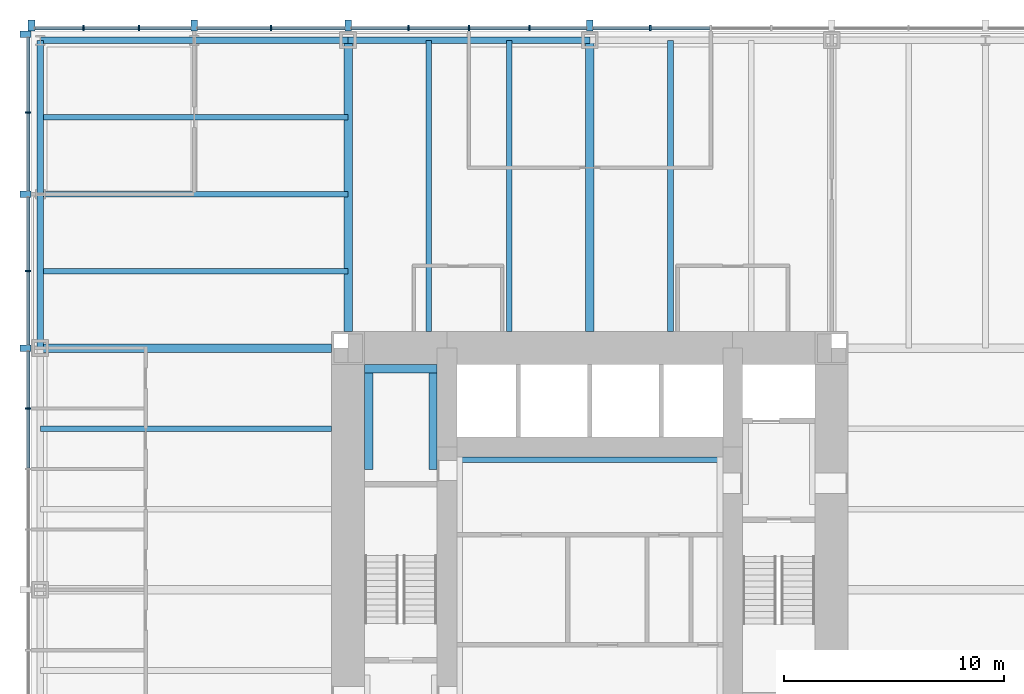
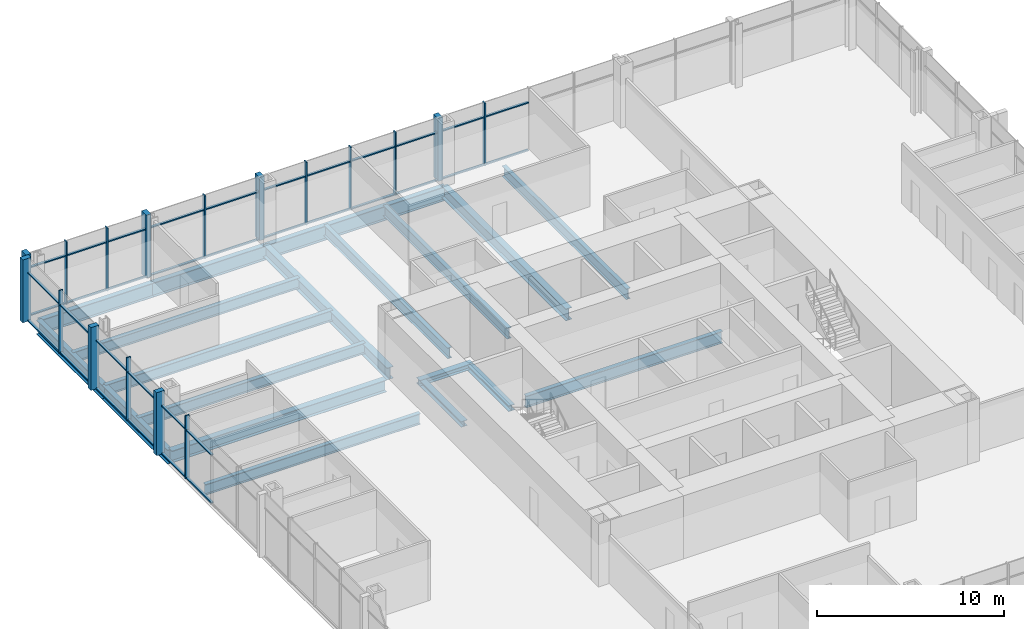
# One storey, part 5 of 13: 51 members, 19 beams, 2 elements without a shape of their own.
"""IFC4 building model written with IfcOpenShell, lengths in metres."""

from ifc_helpers import new_model, si_unit, direction, frame, origin, origin_2d, place, context, subcontext, project, spatial, rectangle, i_section, extrude, material, material_profile, profile_set, type_object, element, aggregate, save


model = new_model("IFC4")

# Units and contexts
model_context = context("Model", 3, precision=1e-05, world=origin(), true_north=direction((0.0, 1.0)))
body_context = subcontext(model_context, "Body", "Model", "MODEL_VIEW")
ifc_project = project(units=[si_unit("LENGTHUNIT", "METRE"), si_unit("AREAUNIT", "SQUARE_METRE"), si_unit("VOLUMEUNIT", "CUBIC_METRE"), si_unit("PLANEANGLEUNIT", "RADIAN"), si_unit("MASSUNIT", "GRAM", prefix="KILO")], contexts=[model_context])

# Site, building, storey
site_placement = place(None, origin())
site = spatial("IfcSite", under=ifc_project, at=site_placement, CompositionType="ELEMENT")
building_placement = place(site_placement, origin())
building = spatial("IfcBuilding", under=site, at=building_placement, Name="Trevanion Tower", CompositionType="ELEMENT")
storey_placement = place(building_placement, frame((0.0, 0.0, 81.60009765625)))
storey = spatial("IfcBuildingStorey", under=building, at=storey_placement, Name="L19", CompositionType="ELEMENT", Elevation=81.60009765625)

# Beams
ifc_material_1 = material(Name="Steel ASTM A992 Grade 50", Category="steel")
ifc_material_profile_1 = material_profile(ifc_material_1, i_section(OverallWidth=0.25390625, OverallDepth=0.700927734375, WebThickness=0.015380859375, FlangeThickness=0.02783203125, at=origin_2d()), Name="W27X129")
ifc_profile_set_1 = profile_set([ifc_material_profile_1], Name="Steel ASTM A992 Grade 50")
beam_type_1 = type_object("IfcBeamType", Name="B3 W27X129", PredefinedType="BEAM", material=ifc_profile_set_1)
for number, where, z_axis, x_axis, name in (
    (1, (3.666748046875, 11.75, -0.54052734375), (0.0, 1.0, 0.0), (-1.0, 0.0, 0.0), "B3 L19"),
    (2, (-3.666748046875, 11.75, -0.54052734375), (0.0, 1.0, 0.0), (-1.0, 0.0, 0.0), "B3 L19"),
    (3, (-7.333251953125, 11.75, -0.54052734375), (0.0, 1.0, 0.0), (-1.0, 0.0, 0.0), "B3 L19"),
    (4, (-11.75, 7.333251953125, -0.54052734375), (-1.0, 0.0, 0.0), (0.0, -1.0, 0.0), "B3 L19"),
):
    element("IfcBeam", number, at=place(storey_placement, frame(where, z_axis=z_axis, x_axis=x_axis)), inside=storey, type_object=beam_type_1, Name=name, PredefinedType="BEAM", context=body_context, shape_type="SweptSolid", body=[
        extrude(i_section(OverallWidth=0.25390625, OverallDepth=0.700927734375, WebThickness=0.015380859375, FlangeThickness=0.02783203125, at=origin_2d()), origin(), (0.0, 0.0, 1.0), 13.25),
    ])
ifc_material_2 = material(Name="Steel ASTM A992 Grade 50", Category="steel")
ifc_material_profile_2 = material_profile(ifc_material_2, i_section(OverallWidth=0.256591796875, OverallDepth=0.693359375, WebThickness=0.014404296875, FlangeThickness=0.023681640625, at=origin_2d()), Name="W27X114")
ifc_profile_set_2 = profile_set([ifc_material_profile_2], Name="Steel ASTM A992 Grade 50")
beam_type_2 = type_object("IfcBeamType", Name="B4 W27X114", PredefinedType="BEAM", material=ifc_profile_set_2)
for number, where, z_axis, x_axis, name in (
    (5, (-11.0, 14.5, -0.536865234375), (-1.0, 0.0, 0.0), (0.0, -1.0, 0.0), "B4 L19"),
    (6, (-11.0, 18.0, -0.536865234375), (-1.0, 0.0, 0.0), (0.0, -1.0, 0.0), "B4 L19"),
    (7, (-11.0, 21.5, -0.536865234375), (-1.0, 0.0, 0.0), (0.0, -1.0, 0.0), "B4 L19"),
):
    element("IfcBeam", number, at=place(storey_placement, frame(where, z_axis=z_axis, x_axis=x_axis)), inside=storey, type_object=beam_type_2, Name=name, PredefinedType="BEAM", context=body_context, shape_type="SweptSolid", body=[
        extrude(i_section(OverallWidth=0.256591796875, OverallDepth=0.693359375, WebThickness=0.014404296875, FlangeThickness=0.023681640625, at=origin_2d()), origin(), (0.0, 0.0, 1.0), 14.0),
    ])

# Curtain wall, members
ifc_material_3 = material(Name="Aluminium and glass", Category="aluminium")
curtain_wall_type = type_object("IfcCurtainWallType", Name="CW1 curtain wall", PredefinedType="USERDEFINED", material=ifc_material_3)
curtain_wall_1_placement = place(storey_placement, origin())
curtain_wall_1 = element("IfcCurtainWall", 8, at=curtain_wall_1_placement, inside=storey, type_object=curtain_wall_type, Name="CW1 L19 1", ObjectType="UNITISED CURTAIN WALL", PredefinedType="USERDEFINED")
ifc_material_4 = material(Name="Aluminium extrusion, anodised bronze", Category="aluminium")
ifc_material_profile_3 = material_profile(ifc_material_4, rectangle(XDim=0.074951171875, YDim=0.25, at=origin_2d()), Name="CW1 mullion")
ifc_profile_set_3 = profile_set([ifc_material_profile_3], Name="Aluminium extrusion, anodised bronze")
member_type_1 = type_object("IfcMemberType", Name="CW1 mullion", PredefinedType="MULLION", material=ifc_profile_set_3)
member_1_placement = place(storey_placement, frame((2.75, 25.550048828125, -0.190185546875), z_axis=(0.0, 0.0, 1.0), x_axis=(-1.0, 0.0, 0.0)))
member_1 = element("IfcMember", 9, at=member_1_placement, type_object=member_type_1, Name="CW1 mullion 8", PredefinedType="MULLION", context=body_context, shape_type="SweptSolid", body=[
    extrude(rectangle(XDim=0.074951171875, YDim=0.25, at=origin_2d()), origin(), (0.0, 0.0, 1.0), 4.10009765625),
])
member_2_placement = place(storey_placement, frame((-2.75, 25.550048828125, -0.190185546875), z_axis=(0.0, 0.0, 1.0), x_axis=(-1.0, 0.0, 0.0)))
member_2 = element("IfcMember", 10, at=member_2_placement, type_object=member_type_1, Name="CW1 mullion 10", PredefinedType="MULLION", context=body_context, shape_type="SweptSolid", body=[
    extrude(rectangle(XDim=0.074951171875, YDim=0.25, at=origin_2d()), origin(), (0.0, 0.0, 1.0), 4.10009765625),
])
member_3_placement = place(storey_placement, frame((-5.5, 25.550048828125, -0.190185546875), z_axis=(0.0, 0.0, 1.0), x_axis=(-1.0, 0.0, 0.0)))
member_3 = element("IfcMember", 11, at=member_3_placement, type_object=member_type_1, Name="CW1 mullion 11", PredefinedType="MULLION", context=body_context, shape_type="SweptSolid", body=[
    extrude(rectangle(XDim=0.074951171875, YDim=0.25, at=origin_2d()), origin(), (0.0, 0.0, 1.0), 4.10009765625),
])
member_4_placement = place(storey_placement, frame((-8.25, 25.550048828125, -0.190185546875), z_axis=(0.0, 0.0, 1.0), x_axis=(-1.0, 0.0, 0.0)))
member_4 = element("IfcMember", 12, at=member_4_placement, type_object=member_type_1, Name="CW1 mullion 12", PredefinedType="MULLION", context=body_context, shape_type="SweptSolid", body=[
    extrude(rectangle(XDim=0.074951171875, YDim=0.25, at=origin_2d()), origin(), (0.0, 0.0, 1.0), 4.10009765625),
])
member_5_placement = place(storey_placement, frame((-14.5, 25.550048828125, -0.190185546875), z_axis=(0.0, 0.0, 1.0), x_axis=(-1.0, 0.0, 0.0)))
member_5 = element("IfcMember", 13, at=member_5_placement, type_object=member_type_1, Name="CW1 mullion 14", PredefinedType="MULLION", context=body_context, shape_type="SweptSolid", body=[
    extrude(rectangle(XDim=0.074951171875, YDim=0.25, at=origin_2d()), origin(), (0.0, 0.0, 1.0), 4.10009765625),
])
member_6_placement = place(storey_placement, frame((-20.5166015625, 25.550048828125, -0.190185546875), z_axis=(0.0, 0.0, 1.0), x_axis=(-1.0, 0.0, 0.0)))
member_6 = element("IfcMember", 14, at=member_6_placement, type_object=member_type_1, Name="CW1 mullion 16", PredefinedType="MULLION", context=body_context, shape_type="SweptSolid", body=[
    extrude(rectangle(XDim=0.074951171875, YDim=0.25, at=origin_2d()), origin(), (0.0, 0.0, 1.0), 4.10009765625),
])
member_7_placement = place(storey_placement, frame((-23.033203125, 25.550048828125, -0.190185546875), z_axis=(0.0, 0.0, 1.0), x_axis=(-1.0, 0.0, 0.0)))
member_7 = element("IfcMember", 15, at=member_7_placement, type_object=member_type_1, Name="CW1 mullion 17", PredefinedType="MULLION", context=body_context, shape_type="SweptSolid", body=[
    extrude(rectangle(XDim=0.074951171875, YDim=0.25, at=origin_2d()), origin(), (0.0, 0.0, 1.0), 4.10009765625),
])

curtain_wall_2_placement = place(storey_placement, origin())
curtain_wall_2 = element("IfcCurtainWall", 16, at=curtain_wall_2_placement, inside=storey, type_object=curtain_wall_type, Name="CW1 L19 2", ObjectType="UNITISED CURTAIN WALL", PredefinedType="USERDEFINED")
member_8_placement = place(storey_placement, frame((-25.550048828125, 21.7099609375, -0.190185546875), z_axis=(0.0, 0.0, 1.0), x_axis=(0.0, -1.0, 0.0)))
member_8 = element("IfcMember", 17, at=member_8_placement, type_object=member_type_1, Name="CW1 mullion 2", PredefinedType="MULLION", context=body_context, shape_type="SweptSolid", body=[
    extrude(rectangle(XDim=0.074951171875, YDim=0.25, at=origin_2d()), origin(), (0.0, 0.0, 1.0), 4.10009765625),
])
member_9_placement = place(storey_placement, frame((-25.550048828125, 14.5, -0.190185546875), z_axis=(0.0, 0.0, 1.0), x_axis=(0.0, -1.0, 0.0)))
member_9 = element("IfcMember", 18, at=member_9_placement, type_object=member_type_1, Name="CW1 mullion 4", PredefinedType="MULLION", context=body_context, shape_type="SweptSolid", body=[
    extrude(rectangle(XDim=0.074951171875, YDim=0.25, at=origin_2d()), origin(), (0.0, 0.0, 1.0), 4.10009765625),
])
member_10_placement = place(storey_placement, frame((-25.550048828125, 8.25, -0.190185546875), z_axis=(0.0, 0.0, 1.0), x_axis=(0.0, -1.0, 0.0)))
member_10 = element("IfcMember", 19, at=member_10_placement, type_object=member_type_1, Name="CW1 mullion 6", PredefinedType="MULLION", context=body_context, shape_type="SweptSolid", body=[
    extrude(rectangle(XDim=0.074951171875, YDim=0.25, at=origin_2d()), origin(), (0.0, 0.0, 1.0), 4.10009765625),
])

# Member
ifc_material_5 = material(Name="Aluminium extrusion, anodised bronze", Category="aluminium")
ifc_material_profile_4 = material_profile(ifc_material_5, rectangle(XDim=0.300048828125, YDim=0.5, at=origin_2d()), Name="CW1 pier mullion")
ifc_profile_set_4 = profile_set([ifc_material_profile_4], Name="Aluminium extrusion, anodised bronze")
member_type_2 = type_object("IfcMemberType", Name="CW1 pier mullion", PredefinedType="MULLION", material=ifc_profile_set_4)
member_11_placement = place(storey_placement, frame((0.0, 25.675048828125, -0.190185546875), z_axis=(0.0, 0.0, 1.0), x_axis=(-1.0, 0.0, 0.0)))
member_11 = element("IfcMember", 20, at=member_11_placement, type_object=member_type_2, Name="CW1 pier mullion 9", PredefinedType="MULLION", context=body_context, shape_type="SweptSolid", body=[
    extrude(rectangle(XDim=0.300048828125, YDim=0.5, at=origin_2d()), origin(), (0.0, 0.0, 1.0), 4.10009765625),
])

member_12_placement = place(storey_placement, frame((-11.0, 25.675048828125, -0.190185546875), z_axis=(0.0, 0.0, 1.0), x_axis=(-1.0, 0.0, 0.0)))
member_12 = element("IfcMember", 21, at=member_12_placement, type_object=member_type_2, Name="CW1 pier mullion 13", PredefinedType="MULLION", context=body_context, shape_type="SweptSolid", body=[
    extrude(rectangle(XDim=0.300048828125, YDim=0.5, at=origin_2d()), origin(), (0.0, 0.0, 1.0), 4.10009765625),
])

member_13_placement = place(storey_placement, frame((-18.0, 25.675048828125, -0.190185546875), z_axis=(0.0, 0.0, 1.0), x_axis=(-1.0, 0.0, 0.0)))
member_13 = element("IfcMember", 22, at=member_13_placement, type_object=member_type_2, Name="CW1 pier mullion 15", PredefinedType="MULLION", context=body_context, shape_type="SweptSolid", body=[
    extrude(rectangle(XDim=0.300048828125, YDim=0.5, at=origin_2d()), origin(), (0.0, 0.0, 1.0), 4.10009765625),
])

member_14_placement = place(storey_placement, frame((-25.39990234375, 25.675048828125, -0.190185546875), z_axis=(0.0, 0.0, 1.0), x_axis=(-1.0, 0.0, 0.0)))
member_14 = element("IfcMember", 23, at=member_14_placement, type_object=member_type_2, Name="CW1 pier mullion 18", PredefinedType="MULLION", context=body_context, shape_type="SweptSolid", body=[
    extrude(rectangle(XDim=0.300048828125, YDim=0.5, at=origin_2d()), origin(), (0.0, 0.0, 1.0), 4.10009765625),
])

member_15_placement = place(storey_placement, frame((-25.675048828125, 25.27001953125, -0.190185546875), z_axis=(0.0, 0.0, 1.0), x_axis=(0.0, -1.0, 0.0)))
member_15 = element("IfcMember", 24, at=member_15_placement, type_object=member_type_2, Name="CW1 pier mullion 1", PredefinedType="MULLION", context=body_context, shape_type="SweptSolid", body=[
    extrude(rectangle(XDim=0.300048828125, YDim=0.5, at=origin_2d()), origin(), (0.0, 0.0, 1.0), 4.10009765625),
])

member_16_placement = place(storey_placement, frame((-25.675048828125, 18.0, -0.190185546875), z_axis=(0.0, 0.0, 1.0), x_axis=(0.0, -1.0, 0.0)))
member_16 = element("IfcMember", 25, at=member_16_placement, type_object=member_type_2, Name="CW1 pier mullion 3", PredefinedType="MULLION", context=body_context, shape_type="SweptSolid", body=[
    extrude(rectangle(XDim=0.300048828125, YDim=0.5, at=origin_2d()), origin(), (0.0, 0.0, 1.0), 4.10009765625),
])

member_17_placement = place(storey_placement, frame((-25.675048828125, 11.0, -0.190185546875), z_axis=(0.0, 0.0, 1.0), x_axis=(0.0, -1.0, 0.0)))
member_17 = element("IfcMember", 26, at=member_17_placement, type_object=member_type_2, Name="CW1 pier mullion 5", PredefinedType="MULLION", context=body_context, shape_type="SweptSolid", body=[
    extrude(rectangle(XDim=0.300048828125, YDim=0.5, at=origin_2d()), origin(), (0.0, 0.0, 1.0), 4.10009765625),
])

ifc_material_6 = material(Name="Aluminium extrusion, anodised bronze", Category="aluminium")
ifc_material_profile_5 = material_profile(ifc_material_6, rectangle(XDim=0.14990234375, YDim=0.074951171875, at=origin_2d()), Name="CW1 transom")
ifc_profile_set_5 = profile_set([ifc_material_profile_5], Name="Aluminium extrusion, anodised bronze")
member_type_3 = type_object("IfcMemberType", Name="CW1 transom", PredefinedType="USERDEFINED", material=ifc_profile_set_5)
member_18_placement = place(storey_placement, frame((5.46240234375, 25.550048828125, -0.152587890625), z_axis=(-1.0, 0.0, 0.0), x_axis=(0.0, -1.0, 0.0)))
member_18 = element("IfcMember", 27, at=member_18_placement, type_object=member_type_3, Name="CW1 transom 7.1", ObjectType="TRANSOM", PredefinedType="USERDEFINED", context=body_context, shape_type="SweptSolid", body=[
    extrude(rectangle(XDim=0.14990234375, YDim=0.074951171875, at=origin_2d()), origin(), (0.0, 0.0, 1.0), 2.6748046875),
])

member_19_placement = place(storey_placement, frame((5.46240234375, 25.550048828125, 2.9599609375), z_axis=(-1.0, 0.0, 0.0), x_axis=(0.0, -1.0, 0.0)))
member_19 = element("IfcMember", 28, at=member_19_placement, type_object=member_type_3, Name="CW1 transom 7.2", ObjectType="TRANSOM", PredefinedType="USERDEFINED", context=body_context, shape_type="SweptSolid", body=[
    extrude(rectangle(XDim=0.14990234375, YDim=0.074951171875, at=origin_2d()), origin(), (0.0, 0.0, 1.0), 2.6748046875),
])

member_20_placement = place(storey_placement, frame((2.71240234375, 25.550048828125, -0.152587890625), z_axis=(-1.0, 0.0, 0.0), x_axis=(0.0, -1.0, 0.0)))
member_20 = element("IfcMember", 29, at=member_20_placement, type_object=member_type_3, Name="CW1 transom 8.1", ObjectType="TRANSOM", PredefinedType="USERDEFINED", context=body_context, shape_type="SweptSolid", body=[
    extrude(rectangle(XDim=0.14990234375, YDim=0.074951171875, at=origin_2d()), origin(), (0.0, 0.0, 1.0), 2.5625),
])

member_21_placement = place(storey_placement, frame((2.71240234375, 25.550048828125, 2.9599609375), z_axis=(-1.0, 0.0, 0.0), x_axis=(0.0, -1.0, 0.0)))
member_21 = element("IfcMember", 30, at=member_21_placement, type_object=member_type_3, Name="CW1 transom 8.2", ObjectType="TRANSOM", PredefinedType="USERDEFINED", context=body_context, shape_type="SweptSolid", body=[
    extrude(rectangle(XDim=0.14990234375, YDim=0.074951171875, at=origin_2d()), origin(), (0.0, 0.0, 1.0), 2.5625),
])

member_22_placement = place(storey_placement, frame((-0.14990234375, 25.550048828125, -0.152587890625), z_axis=(-1.0, 0.0, 0.0), x_axis=(0.0, -1.0, 0.0)))
member_22 = element("IfcMember", 31, at=member_22_placement, type_object=member_type_3, Name="CW1 transom 9.1", ObjectType="TRANSOM", PredefinedType="USERDEFINED", context=body_context, shape_type="SweptSolid", body=[
    extrude(rectangle(XDim=0.14990234375, YDim=0.074951171875, at=origin_2d()), origin(), (0.0, 0.0, 1.0), 2.5625),
])

member_23_placement = place(storey_placement, frame((-0.14990234375, 25.550048828125, 2.9599609375), z_axis=(-1.0, 0.0, 0.0), x_axis=(0.0, -1.0, 0.0)))
member_23 = element("IfcMember", 32, at=member_23_placement, type_object=member_type_3, Name="CW1 transom 9.2", ObjectType="TRANSOM", PredefinedType="USERDEFINED", context=body_context, shape_type="SweptSolid", body=[
    extrude(rectangle(XDim=0.14990234375, YDim=0.074951171875, at=origin_2d()), origin(), (0.0, 0.0, 1.0), 2.5625),
])

member_24_placement = place(storey_placement, frame((-2.78759765625, 25.550048828125, -0.152587890625), z_axis=(-1.0, 0.0, 0.0), x_axis=(0.0, -1.0, 0.0)))
member_24 = element("IfcMember", 33, at=member_24_placement, type_object=member_type_3, Name="CW1 transom 10.1", ObjectType="TRANSOM", PredefinedType="USERDEFINED", context=body_context, shape_type="SweptSolid", body=[
    extrude(rectangle(XDim=0.14990234375, YDim=0.074951171875, at=origin_2d()), origin(), (0.0, 0.0, 1.0), 2.6748046875),
])

member_25_placement = place(storey_placement, frame((-2.78759765625, 25.550048828125, 2.9599609375), z_axis=(-1.0, 0.0, 0.0), x_axis=(0.0, -1.0, 0.0)))
member_25 = element("IfcMember", 34, at=member_25_placement, type_object=member_type_3, Name="CW1 transom 10.2", ObjectType="TRANSOM", PredefinedType="USERDEFINED", context=body_context, shape_type="SweptSolid", body=[
    extrude(rectangle(XDim=0.14990234375, YDim=0.074951171875, at=origin_2d()), origin(), (0.0, 0.0, 1.0), 2.6748046875),
])

member_26_placement = place(storey_placement, frame((-5.53759765625, 25.550048828125, -0.152587890625), z_axis=(-1.0, 0.0, 0.0), x_axis=(0.0, -1.0, 0.0)))
member_26 = element("IfcMember", 35, at=member_26_placement, type_object=member_type_3, Name="CW1 transom 11.1", ObjectType="TRANSOM", PredefinedType="USERDEFINED", context=body_context, shape_type="SweptSolid", body=[
    extrude(rectangle(XDim=0.14990234375, YDim=0.074951171875, at=origin_2d()), origin(), (0.0, 0.0, 1.0), 2.6748046875),
])

member_27_placement = place(storey_placement, frame((-5.53759765625, 25.550048828125, 2.9599609375), z_axis=(-1.0, 0.0, 0.0), x_axis=(0.0, -1.0, 0.0)))
member_27 = element("IfcMember", 36, at=member_27_placement, type_object=member_type_3, Name="CW1 transom 11.2", ObjectType="TRANSOM", PredefinedType="USERDEFINED", context=body_context, shape_type="SweptSolid", body=[
    extrude(rectangle(XDim=0.14990234375, YDim=0.074951171875, at=origin_2d()), origin(), (0.0, 0.0, 1.0), 2.6748046875),
])

member_28_placement = place(storey_placement, frame((-8.28759765625, 25.550048828125, -0.152587890625), z_axis=(-1.0, 0.0, 0.0), x_axis=(0.0, -1.0, 0.0)))
member_28 = element("IfcMember", 37, at=member_28_placement, type_object=member_type_3, Name="CW1 transom 12.1", ObjectType="TRANSOM", PredefinedType="USERDEFINED", context=body_context, shape_type="SweptSolid", body=[
    extrude(rectangle(XDim=0.14990234375, YDim=0.074951171875, at=origin_2d()), origin(), (0.0, 0.0, 1.0), 2.5625),
])

member_29_placement = place(storey_placement, frame((-8.28759765625, 25.550048828125, 2.9599609375), z_axis=(-1.0, 0.0, 0.0), x_axis=(0.0, -1.0, 0.0)))
member_29 = element("IfcMember", 38, at=member_29_placement, type_object=member_type_3, Name="CW1 transom 12.2", ObjectType="TRANSOM", PredefinedType="USERDEFINED", context=body_context, shape_type="SweptSolid", body=[
    extrude(rectangle(XDim=0.14990234375, YDim=0.074951171875, at=origin_2d()), origin(), (0.0, 0.0, 1.0), 2.5625),
])

member_30_placement = place(storey_placement, frame((-11.14990234375, 25.550048828125, -0.152587890625), z_axis=(-1.0, 0.0, 0.0), x_axis=(0.0, -1.0, 0.0)))
member_30 = element("IfcMember", 39, at=member_30_placement, type_object=member_type_3, Name="CW1 transom 13.1", ObjectType="TRANSOM", PredefinedType="USERDEFINED", context=body_context, shape_type="SweptSolid", body=[
    extrude(rectangle(XDim=0.14990234375, YDim=0.074951171875, at=origin_2d()), origin(), (0.0, 0.0, 1.0), 3.3125),
])

member_31_placement = place(storey_placement, frame((-11.14990234375, 25.550048828125, 2.9599609375), z_axis=(-1.0, 0.0, 0.0), x_axis=(0.0, -1.0, 0.0)))
member_31 = element("IfcMember", 40, at=member_31_placement, type_object=member_type_3, Name="CW1 transom 13.2", ObjectType="TRANSOM", PredefinedType="USERDEFINED", context=body_context, shape_type="SweptSolid", body=[
    extrude(rectangle(XDim=0.14990234375, YDim=0.074951171875, at=origin_2d()), origin(), (0.0, 0.0, 1.0), 3.3125),
])

member_32_placement = place(storey_placement, frame((-14.53759765625, 25.550048828125, -0.152587890625), z_axis=(-1.0, 0.0, 0.0), x_axis=(0.0, -1.0, 0.0)))
member_32 = element("IfcMember", 41, at=member_32_placement, type_object=member_type_3, Name="CW1 transom 14.1", ObjectType="TRANSOM", PredefinedType="USERDEFINED", context=body_context, shape_type="SweptSolid", body=[
    extrude(rectangle(XDim=0.14990234375, YDim=0.074951171875, at=origin_2d()), origin(), (0.0, 0.0, 1.0), 3.3125),
])

member_33_placement = place(storey_placement, frame((-14.53759765625, 25.550048828125, 2.9599609375), z_axis=(-1.0, 0.0, 0.0), x_axis=(0.0, -1.0, 0.0)))
member_33 = element("IfcMember", 42, at=member_33_placement, type_object=member_type_3, Name="CW1 transom 14.2", ObjectType="TRANSOM", PredefinedType="USERDEFINED", context=body_context, shape_type="SweptSolid", body=[
    extrude(rectangle(XDim=0.14990234375, YDim=0.074951171875, at=origin_2d()), origin(), (0.0, 0.0, 1.0), 3.3125),
])

member_34_placement = place(storey_placement, frame((-18.14990234375, 25.550048828125, -0.152587890625), z_axis=(-1.0, 0.0, 0.0), x_axis=(0.0, -1.0, 0.0)))
member_34 = element("IfcMember", 43, at=member_34_placement, type_object=member_type_3, Name="CW1 transom 15.1", ObjectType="TRANSOM", PredefinedType="USERDEFINED", context=body_context, shape_type="SweptSolid", body=[
    extrude(rectangle(XDim=0.14990234375, YDim=0.074951171875, at=origin_2d()), origin(), (0.0, 0.0, 1.0), 2.329345703125),
])

member_35_placement = place(storey_placement, frame((-18.14990234375, 25.550048828125, 2.9599609375), z_axis=(-1.0, 0.0, 0.0), x_axis=(0.0, -1.0, 0.0)))
member_35 = element("IfcMember", 44, at=member_35_placement, type_object=member_type_3, Name="CW1 transom 15.2", ObjectType="TRANSOM", PredefinedType="USERDEFINED", context=body_context, shape_type="SweptSolid", body=[
    extrude(rectangle(XDim=0.14990234375, YDim=0.074951171875, at=origin_2d()), origin(), (0.0, 0.0, 1.0), 2.329345703125),
])

member_36_placement = place(storey_placement, frame((-20.55419921875, 25.550048828125, -0.152587890625), z_axis=(-1.0, 0.0, 0.0), x_axis=(0.0, -1.0, 0.0)))
member_36 = element("IfcMember", 45, at=member_36_placement, type_object=member_type_3, Name="CW1 transom 16.1", ObjectType="TRANSOM", PredefinedType="USERDEFINED", context=body_context, shape_type="SweptSolid", body=[
    extrude(rectangle(XDim=0.14990234375, YDim=0.074951171875, at=origin_2d()), origin(), (0.0, 0.0, 1.0), 2.441650390625),
])

member_37_placement = place(storey_placement, frame((-20.55419921875, 25.550048828125, 2.9599609375), z_axis=(-1.0, 0.0, 0.0), x_axis=(0.0, -1.0, 0.0)))
member_37 = element("IfcMember", 46, at=member_37_placement, type_object=member_type_3, Name="CW1 transom 16.2", ObjectType="TRANSOM", PredefinedType="USERDEFINED", context=body_context, shape_type="SweptSolid", body=[
    extrude(rectangle(XDim=0.14990234375, YDim=0.074951171875, at=origin_2d()), origin(), (0.0, 0.0, 1.0), 2.441650390625),
])

member_38_placement = place(storey_placement, frame((-23.07080078125, 25.550048828125, -0.152587890625), z_axis=(-1.0, 0.0, 0.0), x_axis=(0.0, -1.0, 0.0)))
member_38 = element("IfcMember", 47, at=member_38_placement, type_object=member_type_3, Name="CW1 transom 17.1", ObjectType="TRANSOM", PredefinedType="USERDEFINED", context=body_context, shape_type="SweptSolid", body=[
    extrude(rectangle(XDim=0.14990234375, YDim=0.074951171875, at=origin_2d()), origin(), (0.0, 0.0, 1.0), 2.17919921875),
])

member_39_placement = place(storey_placement, frame((-23.07080078125, 25.550048828125, 2.9599609375), z_axis=(-1.0, 0.0, 0.0), x_axis=(0.0, -1.0, 0.0)))
member_39 = element("IfcMember", 48, at=member_39_placement, type_object=member_type_3, Name="CW1 transom 17.2", ObjectType="TRANSOM", PredefinedType="USERDEFINED", context=body_context, shape_type="SweptSolid", body=[
    extrude(rectangle(XDim=0.14990234375, YDim=0.074951171875, at=origin_2d()), origin(), (0.0, 0.0, 1.0), 2.17919921875),
])

aggregate(curtain_wall_1, [member_1, member_11, member_2, member_3, member_4, member_12, member_5, member_13, member_6, member_7, member_14, member_18, member_19, member_20, member_21, member_22, member_23, member_24, member_25, member_26, member_27, member_28, member_29, member_30, member_31, member_32, member_33, member_34, member_35, member_36, member_37, member_38, member_39])

member_40_placement = place(storey_placement, frame((-25.550048828125, 25.1201171875, -0.152587890625), z_axis=(0.0, -1.0, 0.0), x_axis=(1.0, 0.0, 0.0)))
member_40 = element("IfcMember", 49, at=member_40_placement, type_object=member_type_3, Name="CW1 transom 1.1", ObjectType="TRANSOM", PredefinedType="USERDEFINED", context=body_context, shape_type="SweptSolid", body=[
    extrude(rectangle(XDim=0.14990234375, YDim=0.074951171875, at=origin_2d()), origin(), (0.0, 0.0, 1.0), 3.37255859375),
])

member_41_placement = place(storey_placement, frame((-25.550048828125, 25.1201171875, 2.9599609375), z_axis=(0.0, -1.0, 0.0), x_axis=(1.0, 0.0, 0.0)))
member_41 = element("IfcMember", 50, at=member_41_placement, type_object=member_type_3, Name="CW1 transom 1.2", ObjectType="TRANSOM", PredefinedType="USERDEFINED", context=body_context, shape_type="SweptSolid", body=[
    extrude(rectangle(XDim=0.14990234375, YDim=0.074951171875, at=origin_2d()), origin(), (0.0, 0.0, 1.0), 3.37255859375),
])

member_42_placement = place(storey_placement, frame((-25.550048828125, 21.672607421875, -0.152587890625), z_axis=(0.0, -1.0, 0.0), x_axis=(1.0, 0.0, 0.0)))
member_42 = element("IfcMember", 51, at=member_42_placement, type_object=member_type_3, Name="CW1 transom 2.1", ObjectType="TRANSOM", PredefinedType="USERDEFINED", context=body_context, shape_type="SweptSolid", body=[
    extrude(rectangle(XDim=0.14990234375, YDim=0.074951171875, at=origin_2d()), origin(), (0.0, 0.0, 1.0), 3.522705078125),
])

member_43_placement = place(storey_placement, frame((-25.550048828125, 21.672607421875, 2.9599609375), z_axis=(0.0, -1.0, 0.0), x_axis=(1.0, 0.0, 0.0)))
member_43 = element("IfcMember", 52, at=member_43_placement, type_object=member_type_3, Name="CW1 transom 2.2", ObjectType="TRANSOM", PredefinedType="USERDEFINED", context=body_context, shape_type="SweptSolid", body=[
    extrude(rectangle(XDim=0.14990234375, YDim=0.074951171875, at=origin_2d()), origin(), (0.0, 0.0, 1.0), 3.522705078125),
])

member_44_placement = place(storey_placement, frame((-25.550048828125, 17.85009765625, -0.152587890625), z_axis=(0.0, -1.0, 0.0), x_axis=(1.0, 0.0, 0.0)))
member_44 = element("IfcMember", 53, at=member_44_placement, type_object=member_type_3, Name="CW1 transom 3.1", ObjectType="TRANSOM", PredefinedType="USERDEFINED", context=body_context, shape_type="SweptSolid", body=[
    extrude(rectangle(XDim=0.14990234375, YDim=0.074951171875, at=origin_2d()), origin(), (0.0, 0.0, 1.0), 3.3125),
])

member_45_placement = place(storey_placement, frame((-25.550048828125, 17.85009765625, 2.9599609375), z_axis=(0.0, -1.0, 0.0), x_axis=(1.0, 0.0, 0.0)))
member_45 = element("IfcMember", 54, at=member_45_placement, type_object=member_type_3, Name="CW1 transom 3.2", ObjectType="TRANSOM", PredefinedType="USERDEFINED", context=body_context, shape_type="SweptSolid", body=[
    extrude(rectangle(XDim=0.14990234375, YDim=0.074951171875, at=origin_2d()), origin(), (0.0, 0.0, 1.0), 3.3125),
])

member_46_placement = place(storey_placement, frame((-25.550048828125, 14.46240234375, -0.152587890625), z_axis=(0.0, -1.0, 0.0), x_axis=(1.0, 0.0, 0.0)))
member_46 = element("IfcMember", 55, at=member_46_placement, type_object=member_type_3, Name="CW1 transom 4.1", ObjectType="TRANSOM", PredefinedType="USERDEFINED", context=body_context, shape_type="SweptSolid", body=[
    extrude(rectangle(XDim=0.14990234375, YDim=0.074951171875, at=origin_2d()), origin(), (0.0, 0.0, 1.0), 3.3125),
])

member_47_placement = place(storey_placement, frame((-25.550048828125, 14.46240234375, 2.9599609375), z_axis=(0.0, -1.0, 0.0), x_axis=(1.0, 0.0, 0.0)))
member_47 = element("IfcMember", 56, at=member_47_placement, type_object=member_type_3, Name="CW1 transom 4.2", ObjectType="TRANSOM", PredefinedType="USERDEFINED", context=body_context, shape_type="SweptSolid", body=[
    extrude(rectangle(XDim=0.14990234375, YDim=0.074951171875, at=origin_2d()), origin(), (0.0, 0.0, 1.0), 3.3125),
])

member_48_placement = place(storey_placement, frame((-25.550048828125, 10.85009765625, -0.152587890625), z_axis=(0.0, -1.0, 0.0), x_axis=(1.0, 0.0, 0.0)))
member_48 = element("IfcMember", 57, at=member_48_placement, type_object=member_type_3, Name="CW1 transom 5.1", ObjectType="TRANSOM", PredefinedType="USERDEFINED", context=body_context, shape_type="SweptSolid", body=[
    extrude(rectangle(XDim=0.14990234375, YDim=0.074951171875, at=origin_2d()), origin(), (0.0, 0.0, 1.0), 2.5625),
])

member_49_placement = place(storey_placement, frame((-25.550048828125, 10.85009765625, 2.9599609375), z_axis=(0.0, -1.0, 0.0), x_axis=(1.0, 0.0, 0.0)))
member_49 = element("IfcMember", 58, at=member_49_placement, type_object=member_type_3, Name="CW1 transom 5.2", ObjectType="TRANSOM", PredefinedType="USERDEFINED", context=body_context, shape_type="SweptSolid", body=[
    extrude(rectangle(XDim=0.14990234375, YDim=0.074951171875, at=origin_2d()), origin(), (0.0, 0.0, 1.0), 2.5625),
])

member_50_placement = place(storey_placement, frame((-25.550048828125, 8.21240234375, -0.152587890625), z_axis=(0.0, -1.0, 0.0), x_axis=(1.0, 0.0, 0.0)))
member_50 = element("IfcMember", 59, at=member_50_placement, type_object=member_type_3, Name="CW1 transom 6.1", ObjectType="TRANSOM", PredefinedType="USERDEFINED", context=body_context, shape_type="SweptSolid", body=[
    extrude(rectangle(XDim=0.14990234375, YDim=0.074951171875, at=origin_2d()), origin(), (0.0, 0.0, 1.0), 2.6748046875),
])

member_51_placement = place(storey_placement, frame((-25.550048828125, 8.21240234375, 2.9599609375), z_axis=(0.0, -1.0, 0.0), x_axis=(1.0, 0.0, 0.0)))
member_51 = element("IfcMember", 60, at=member_51_placement, type_object=member_type_3, Name="CW1 transom 6.2", ObjectType="TRANSOM", PredefinedType="USERDEFINED", context=body_context, shape_type="SweptSolid", body=[
    extrude(rectangle(XDim=0.14990234375, YDim=0.074951171875, at=origin_2d()), origin(), (0.0, 0.0, 1.0), 2.6748046875),
])

aggregate(curtain_wall_2, [member_15, member_8, member_16, member_9, member_17, member_10, member_40, member_41, member_42, member_43, member_44, member_45, member_46, member_47, member_48, member_49, member_50, member_51])

# Beams
ifc_material_7 = material(Name="Steel ASTM A992 Grade 50", Category="steel")
ifc_material_profile_6 = material_profile(ifc_material_7, i_section(OverallWidth=0.381103515625, OverallDepth=0.77978515625, WebThickness=0.01806640625, FlangeThickness=0.0302734375, at=origin_2d()), Name="W30X191")
ifc_profile_set_6 = profile_set([ifc_material_profile_6], Name="Steel ASTM A992 Grade 50")
beam_type_3 = type_object("IfcBeamType", Name="G2 W30X191", PredefinedType="BEAM", material=ifc_profile_set_6)
for number, where, z_axis, x_axis, name in (
    (61, (0.0, 11.75, -0.580078125), (0.0, 1.0, 0.0), (-1.0, 0.0, 0.0), "G2 L19"),
    (62, (-11.0, 11.75, -0.580078125), (0.0, 1.0, 0.0), (-1.0, 0.0, 0.0), "G2 L19"),
    (63, (-11.75, 11.0, -0.580078125), (-1.0, 0.0, 0.0), (0.0, -1.0, 0.0), "G2 L19"),
):
    element("IfcBeam", number, at=place(storey_placement, frame(where, z_axis=z_axis, x_axis=x_axis)), inside=storey, type_object=beam_type_3, Name=name, PredefinedType="BEAM", context=body_context, shape_type="SweptSolid", body=[
        extrude(i_section(OverallWidth=0.381103515625, OverallDepth=0.77978515625, WebThickness=0.01806640625, FlangeThickness=0.0302734375, at=origin_2d()), origin(), (0.0, 0.0, 1.0), 13.25),
    ])
ifc_material_8 = material(Name="Steel ASTM A992 Grade 50", Category="steel")
ifc_material_profile_7 = material_profile(ifc_material_8, i_section(OverallWidth=0.373291015625, OverallDepth=0.373291015625, WebThickness=0.016357421875, FlangeThickness=0.026123046875, at=origin_2d()), Name="W14X132")
ifc_profile_set_7 = profile_set([ifc_material_profile_7], Name="Steel ASTM A992 Grade 50")
beam_type_4 = type_object("IfcBeamType", Name="LB2 W14X132", PredefinedType="BEAM", material=ifc_profile_set_7)
for number, where, z_axis, x_axis, name in (
    (64, (-10.063232421875, 5.47509765625, -0.38671875), (0.0, 1.0, 0.0), (-1.0, 0.0, 0.0), "LB2 L19"),
    (65, (-7.13671875, 5.47509765625, -0.38671875), (0.0, 1.0, 0.0), (-1.0, 0.0, 0.0), "LB2 L19"),
):
    element("IfcBeam", number, at=place(storey_placement, frame(where, z_axis=z_axis, x_axis=x_axis)), inside=storey, type_object=beam_type_4, Name=name, PredefinedType="BEAM", context=body_context, shape_type="SweptSolid", body=[
        extrude(i_section(OverallWidth=0.373291015625, OverallDepth=0.373291015625, WebThickness=0.016357421875, FlangeThickness=0.026123046875, at=origin_2d()), origin(), (0.0, 0.0, 1.0), 4.77490234375),
    ])
beam_1_placement = place(storey_placement, frame((-10.25, 10.063232421875, -0.38671875), z_axis=(1.0, 0.0, 0.0), x_axis=(0.0, 1.0, 0.0)))
element("IfcBeam", 66, at=beam_1_placement, inside=storey, type_object=beam_type_4, Name="LB2 L19", PredefinedType="BEAM", context=body_context, shape_type="SweptSolid", body=[
    extrude(i_section(OverallWidth=0.373291015625, OverallDepth=0.373291015625, WebThickness=0.016357421875, FlangeThickness=0.026123046875, at=origin_2d()), origin(), (0.0, 0.0, 1.0), 3.300048828125),
])
ifc_material_9 = material(Name="Steel ASTM A992 Grade 50", Category="steel")
ifc_material_profile_8 = material_profile(ifc_material_9, i_section(OverallWidth=0.2666015625, OverallDepth=0.76953125, WebThickness=0.015625, FlangeThickness=0.025390625, at=origin_2d()), Name="W30X132")
ifc_profile_set_8 = profile_set([ifc_material_profile_8], Name="Steel ASTM A992 Grade 50")
beam_type_5 = type_object("IfcBeamType", Name="LB3 W30X132", PredefinedType="BEAM", material=ifc_profile_set_8)
beam_2_placement = place(storey_placement, frame((-6.050048828125, 5.91650390625, -0.5849609375), z_axis=(1.0, 0.0, 0.0), x_axis=(0.0, 1.0, 0.0)))
element("IfcBeam", 67, at=beam_2_placement, inside=storey, type_object=beam_type_5, Name="LB3 L19", PredefinedType="BEAM", context=body_context, shape_type="SweptSolid", body=[
    extrude(i_section(OverallWidth=0.2666015625, OverallDepth=0.76953125, WebThickness=0.015625, FlangeThickness=0.025390625, at=origin_2d()), origin(), (0.0, 0.0, 1.0), 12.10009765625),
])
ifc_material_10 = material(Name="Steel ASTM A992 Grade 50", Category="steel")
ifc_material_profile_9 = material_profile(ifc_material_10, i_section(OverallWidth=0.307373046875, OverallDepth=0.927001953125, WebThickness=0.01953125, FlangeThickness=0.031982421875, at=origin_2d()), Name="W36X194")
ifc_profile_set_9 = profile_set([ifc_material_profile_9], Name="Steel ASTM A992 Grade 50")
beam_type_6 = type_object("IfcBeamType", Name="SB2 W36X194", PredefinedType="SPANDREL", material=ifc_profile_set_9)
beam_3_placement = place(storey_placement, frame((0.0, 25.0, -0.65380859375), z_axis=(-1.0, 0.0, 0.0), x_axis=(0.0, -1.0, 0.0)))
element("IfcBeam", 68, at=beam_3_placement, inside=storey, type_object=beam_type_6, Name="SB2 L19", PredefinedType="SPANDREL", context=body_context, shape_type="SweptSolid", body=[
    extrude(i_section(OverallWidth=0.307373046875, OverallDepth=0.927001953125, WebThickness=0.01953125, FlangeThickness=0.031982421875, at=origin_2d()), origin(), (0.0, 0.0, 1.0), 11.0),
])
for number, where, z_axis, x_axis, name in (
    (69, (-11.0, 25.0, -0.65380859375), (-1.0, 0.0, 0.0), (0.0, -1.0, 0.0), "SB2 L19"),
    (70, (-18.0, 25.0, -0.65380859375), (-1.0, 0.0, 0.0), (0.0, -1.0, 0.0), "SB2 L19"),
    (71, (-25.0, 25.0, -0.65380859375), (0.0, -1.0, 0.0), (1.0, 0.0, 0.0), "SB2 L19"),
    (72, (-25.0, 18.0, -0.65380859375), (0.0, -1.0, 0.0), (1.0, 0.0, 0.0), "SB2 L19"),
):
    element("IfcBeam", number, at=place(storey_placement, frame(where, z_axis=z_axis, x_axis=x_axis)), inside=storey, type_object=beam_type_6, Name=name, PredefinedType="SPANDREL", context=body_context, shape_type="SweptSolid", body=[
        extrude(i_section(OverallWidth=0.307373046875, OverallDepth=0.927001953125, WebThickness=0.01953125, FlangeThickness=0.031982421875, at=origin_2d()), origin(), (0.0, 0.0, 1.0), 7.0),
    ])

save(model, "model.ifc")
